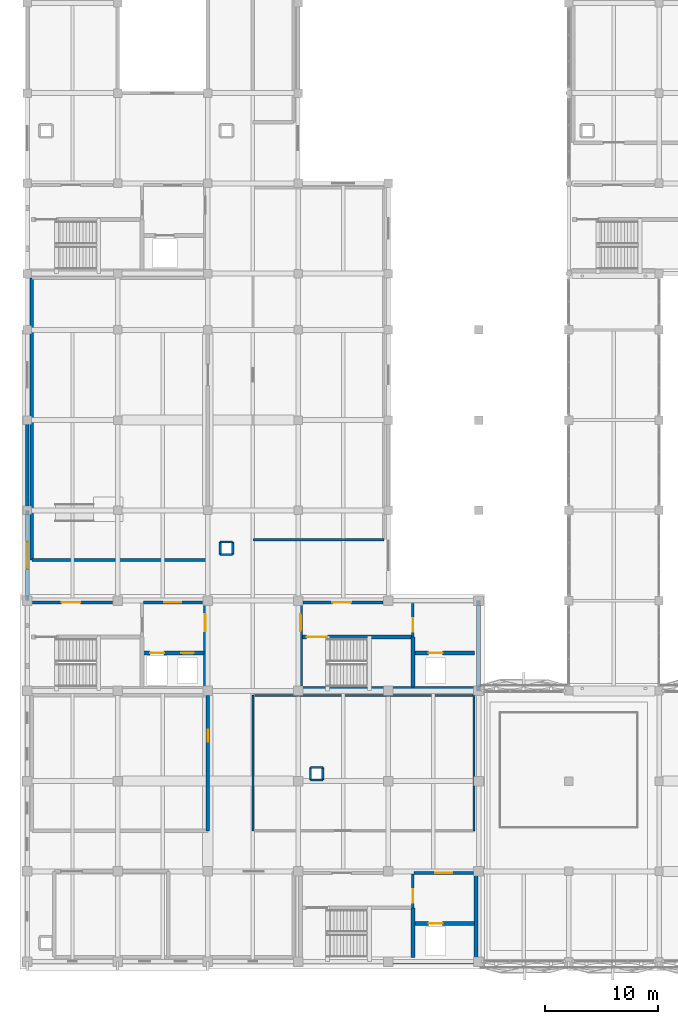
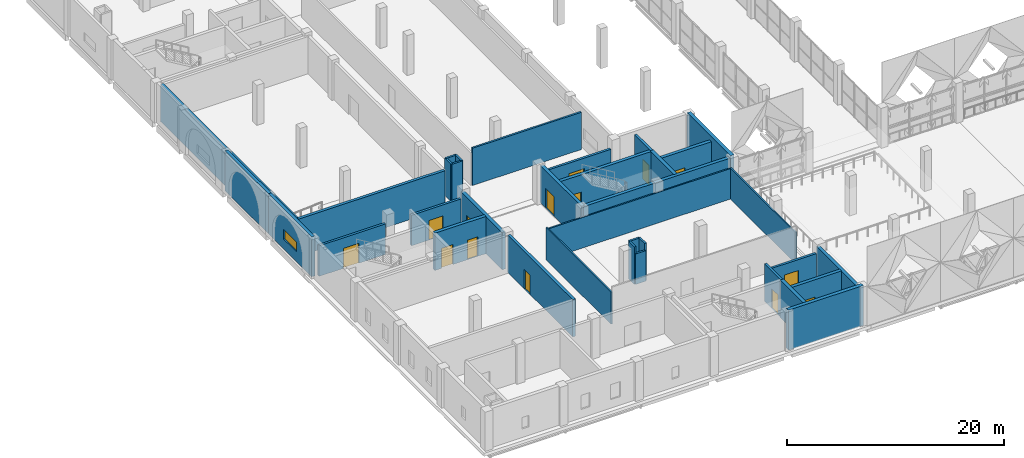
# One storey, part 28 of 53: 35 walls, 14 doors, 1 window, 15 openings.
"""IFC4 building model written with IfcOpenShell, lengths in metres."""

from ifc_helpers import new_model, si_unit, direction, frame, frame_2d, origin, place, context, subcontext, project, spatial, rectangle, extrude, material, layer, layer_set, type_object, element, fill, save


model = new_model("IFC4")

# Units and contexts
model_context = context("Model", 3, precision=1e-05, world=origin(), true_north=direction((0.0, 1.0)))
body_context = subcontext(model_context, "Body", "Model", "MODEL_VIEW")
ifc_project = project(units=[si_unit("LENGTHUNIT", "METRE"), si_unit("AREAUNIT", "SQUARE_METRE"), si_unit("VOLUMEUNIT", "CUBIC_METRE"), si_unit("PLANEANGLEUNIT", "RADIAN"), si_unit("MASSUNIT", "GRAM", prefix="KILO")], contexts=[model_context])

# Site, building, storey
site_placement = place(None, origin())
site = spatial("IfcSite", under=ifc_project, at=site_placement, CompositionType="ELEMENT")
building_placement = place(site_placement, origin())
building = spatial("IfcBuilding", under=site, at=building_placement, Name="Qorikala Patio Media Centre", CompositionType="ELEMENT")
storey_placement = place(building_placement, frame((0.0, 0.0, 5.39990234375)))
storey = spatial("IfcBuildingStorey", under=building, at=storey_placement, Name="L01", CompositionType="ELEMENT", Elevation=5.39990234375)

# Wall, opening, door
ifc_material_1 = material(Name="Concrete C35/45", Category="concrete")
ifc_layer_1 = layer(ifc_material_1, 0.300048828125)
ifc_layer_set_1 = layer_set([ifc_layer_1], Name="Concrete C35/45")
wall_type_1 = type_object("IfcWallType", Name="WL-AC-300", PredefinedType="SHEAR", material=ifc_layer_set_1)
wall_1_placement = place(storey_placement, frame((19.0, 14.60009765625, 0.0), z_axis=(0.0, 0.0, 1.0), x_axis=(0.0, 1.0, 0.0)))
wall_1 = element("IfcWall", 1, at=wall_1_placement, inside=storey, type_object=wall_type_1, Name="L01 Interior Wall WINT-L01-PRJ1-E", PredefinedType="SHEAR", context=body_context, shape_type="SweptSolid", body=[
    extrude(rectangle(XDim=12.0, YDim=0.300048828125, at=frame_2d((6.0, 0.0))), origin(), (0.0, 0.0, 1.0), 4.2001953125),
])
opening_1_placement = place(wall_1_placement, frame((7.89990234375, 0.0, 0.0)))
opening_1 = element("IfcOpeningElement", 2, at=opening_1_placement, cuts=wall_1, Name="Opening D251", PredefinedType="OPENING", context=body_context, shape_type="SweptSolid", body=[
    extrude(rectangle(XDim=1.050048828125, YDim=2.159912109375, at=frame_2d((0.52490234375, 1.080078125))), frame((0.0, 0.159912109375, 0.0), z_axis=(0.0, -1.0, 0.0), x_axis=(1.0, 0.0, 0.0)), (0.0, 0.0, 1.0), 0.320068359375),
])
ifc_material_2 = material(Name="Acoustic Fire Timber and Steel", Category="steel")
door_type_1 = type_object("IfcDoorType", Name="DR-FD60-105X216", OperationType="NOTDEFINED", PredefinedType="DOOR", material=ifc_material_2)
door_1_placement = place(opening_1_placement, origin())
door_1 = element("IfcDoor", 3, at=door_1_placement, inside=storey, type_object=door_type_1, Name="Cinema 1 and 2 Projection Booth Door 040", OperationType="SINGLE_SWING_RIGHT", OverallHeight=2.159912109375, OverallWidth=1.050048828125, PredefinedType="DOOR", context=body_context, shape_type="SweptSolid", body=[
    extrude(rectangle(XDim=1.050048828125, YDim=2.159912109375, at=frame_2d((0.52490234375, 1.080078125))), frame((0.0, 0.02490234375, 0.0), z_axis=(0.0, -1.0, 0.0), x_axis=(1.0, 0.0, 0.0)), (0.0, 0.0, 1.0), 0.050048828125),
])
fill(opening_1, door_1)

# Walls
wall_2_placement = place(storey_placement, frame((3.39990234375, 38.60009765625, 0.0), z_axis=(0.0, 0.0, 1.0), x_axis=(1.0, 0.0, 0.0)))
element("IfcWall", 4, at=wall_2_placement, inside=storey, type_object=wall_type_1, Name="L01 Interior Wall WINT-L01-REC2-S", PredefinedType="SHEAR", context=body_context, shape_type="SweptSolid", body=[
    extrude(rectangle(XDim=15.60009765625, YDim=0.300048828125, at=frame_2d((7.800048828125, 0.0))), origin(), (0.0, 0.0, 1.0), 4.2001953125),
])
wall_3_placement = place(storey_placement, frame((3.39990234375, 38.60009765625, 0.0), z_axis=(0.0, 0.0, 1.0), x_axis=(0.0, 1.0, 0.0)))
element("IfcWall", 5, at=wall_3_placement, inside=storey, type_object=wall_type_1, Name="L01 Interior Wall WINT-L01-REC2-W", PredefinedType="SHEAR", context=body_context, shape_type="SweptSolid", body=[
    extrude(rectangle(XDim=25.0, YDim=0.300048828125, at=frame_2d((12.5, 0.0))), origin(), (0.0, 0.0, 1.0), 4.2001953125),
])
ifc_layer_2 = layer(ifc_material_1, 0.35009765625)
ifc_layer_set_2 = layer_set([ifc_layer_2], Name="Concrete C35/45")
wall_type_2 = type_object("IfcWallType", Name="WL-CORE-350", PredefinedType="SHEAR", material=ifc_layer_set_2)
wall_4_placement = place(storey_placement, frame((37.175048828125, 3.35009765625, 0.0), z_axis=(0.0, 0.0, 1.0), x_axis=(0.0, 1.0, 0.0)))
element("IfcWall", 6, at=wall_4_placement, inside=storey, type_object=wall_type_2, Name="L01 Interior Wall CW-L01-C1-SE", PredefinedType="SHEAR", context=body_context, shape_type="SweptSolid", body=[
    extrude(rectangle(XDim=4.4248046875, YDim=0.35009765625, at=frame_2d((2.21240234375, 0.0))), origin(), (0.0, 0.0, 1.0), 4.2001953125),
])
wall_5_placement = place(storey_placement, frame((42.77490234375, 3.199951171875, 0.0), z_axis=(0.0, 0.0, 1.0), x_axis=(0.0, 1.0, 0.0)))
element("IfcWall", 7, at=wall_5_placement, inside=storey, type_object=wall_type_2, Name="L01 Interior Wall CW-L01-C1-EE", PredefinedType="SHEAR", context=body_context, shape_type="SweptSolid", body=[
    extrude(rectangle(XDim=7.60009765625, YDim=0.35009765625, at=frame_2d((3.800048828125, 0.0))), origin(), (0.0, 0.0, 1.0), 4.2001953125),
])

# Wall, opening, door
wall_6_placement = place(storey_placement, frame((37.175048828125, 6.375, 0.0), z_axis=(0.0, 0.0, 1.0), x_axis=(1.0, 0.0, 0.0)))
wall_6 = element("IfcWall", 8, at=wall_6_placement, inside=storey, type_object=wall_type_2, Name="L01 Interior Wall CW-L01-C1-LFN", PredefinedType="SHEAR", context=body_context, shape_type="SweptSolid", body=[
    extrude(rectangle(XDim=5.474853515625, YDim=0.35009765625, at=frame_2d((2.7373046875, 0.0))), origin(), (0.0, 0.0, 1.0), 4.2001953125),
])
opening_2_placement = place(wall_6_placement, frame((1.39990234375, 0.0, 0.0)))
opening_2 = element("IfcOpeningElement", 9, at=opening_2_placement, cuts=wall_6, Name="Opening LD03", PredefinedType="OPENING", context=body_context, shape_type="SweptSolid", body=[
    extrude(rectangle(XDim=1.25, YDim=2.25, at=frame_2d((0.625, 1.125))), frame((0.0, 0.18505859375, 0.0), z_axis=(0.0, -1.0, 0.0), x_axis=(1.0, 0.0, 0.0)), (0.0, 0.0, 1.0), 0.3701171875),
])
ifc_material_3 = material(Name="Brushed Bronze Stainless Steel", Category="steel")
door_type_2 = type_object("IfcDoorType", Name="DR-LD-125X225", OperationType="DOUBLE_DOOR_SLIDING", PredefinedType="DOOR", material=ifc_material_3)
door_2_placement = place(opening_2_placement, origin())
door_2 = element("IfcDoor", 10, at=door_2_placement, inside=storey, type_object=door_type_2, Name="L01 Lift LF-01 Sliding Landing Door", OperationType="DOUBLE_DOOR_SLIDING", OverallHeight=2.25, OverallWidth=1.25, PredefinedType="DOOR", context=body_context, shape_type="SweptSolid", body=[
    extrude(rectangle(XDim=1.25, YDim=2.25, at=frame_2d((0.625, 1.125))), frame((0.0, 0.02490234375, 0.0), z_axis=(0.0, -1.0, 0.0), x_axis=(1.0, 0.0, 0.0)), (0.0, 0.0, 1.0), 0.050048828125),
])
fill(opening_2, door_2)

wall_7_placement = place(storey_placement, frame((18.77490234375, 27.199951171875, 0.0), z_axis=(0.0, 0.0, 1.0), x_axis=(0.0, 1.0, 0.0)))
wall_7 = element("IfcWall", 11, at=wall_7_placement, inside=storey, type_object=wall_type_2, Name="L01 Interior Wall CW-L01-C2-EE", PredefinedType="SHEAR", context=body_context, shape_type="SweptSolid", body=[
    extrude(rectangle(XDim=7.60009765625, YDim=0.35009765625, at=frame_2d((3.800048828125, 0.0))), origin(), (0.0, 0.0, 1.0), 4.2001953125),
])
opening_3_placement = place(wall_7_placement, frame((5.10009765625, 0.0, 0.0)))
opening_3 = element("IfcOpeningElement", 12, at=opening_3_placement, cuts=wall_7, Name="Opening D069", PredefinedType="OPENING", context=body_context, shape_type="SweptSolid", body=[
    extrude(rectangle(XDim=1.5, YDim=2.199951171875, at=frame_2d((0.75, 1.10009765625))), frame((0.0, 0.18505859375, 0.0), z_axis=(0.0, -1.0, 0.0), x_axis=(1.0, 0.0, 0.0)), (0.0, 0.0, 1.0), 0.3701171875),
])
ifc_material_4 = material(Name="Powder-Coated Acoustic Fire Steel", Category="steel")
door_type_3 = type_object("IfcDoorType", Name="DR-FD60-150X220", OperationType="DOUBLE_DOOR_SINGLE_SWING", PredefinedType="DOOR", material=ifc_material_4)
door_3_placement = place(opening_3_placement, origin())
door_3 = element("IfcDoor", 13, at=door_3_placement, inside=storey, type_object=door_type_3, Name="L01 Core C2 East Corridor Fire Door", OperationType="DOUBLE_DOOR_SINGLE_SWING", OverallHeight=2.199951171875, OverallWidth=1.5, PredefinedType="DOOR", context=body_context, shape_type="SweptSolid", body=[
    extrude(rectangle(XDim=1.5, YDim=2.199951171875, at=frame_2d((0.75, 1.10009765625))), frame((0.0, 0.02490234375, 0.0), z_axis=(0.0, -1.0, 0.0), x_axis=(1.0, 0.0, 0.0)), (0.0, 0.0, 1.0), 0.050048828125),
])
fill(opening_3, door_3)

# Wall, openings, doors
wall_8_placement = place(storey_placement, frame((13.175048828125, 30.375, 0.0), z_axis=(0.0, 0.0, 1.0), x_axis=(1.0, 0.0, 0.0)))
wall_8 = element("IfcWall", 14, at=wall_8_placement, inside=storey, type_object=wall_type_2, Name="L01 Interior Wall CW-L01-C2-LFN", PredefinedType="SHEAR", context=body_context, shape_type="SweptSolid", body=[
    extrude(rectangle(XDim=5.474853515625, YDim=0.35009765625, at=frame_2d((2.7373046875, 0.0))), origin(), (0.0, 0.0, 1.0), 4.2001953125),
])
opening_4_placement = place(wall_8_placement, frame((0.699951171875, 0.0, 0.0)))
opening_4 = element("IfcOpeningElement", 15, at=opening_4_placement, cuts=wall_8, Name="Opening LD12", PredefinedType="OPENING", context=body_context, shape_type="SweptSolid", body=[
    extrude(rectangle(XDim=1.25, YDim=2.25, at=frame_2d((0.625, 1.125))), frame((0.0, 0.18505859375, 0.0), z_axis=(0.0, -1.0, 0.0), x_axis=(1.0, 0.0, 0.0)), (0.0, 0.0, 1.0), 0.3701171875),
])
opening_5_placement = place(wall_8_placement, frame((3.47509765625, 0.0, 0.0)))
opening_5 = element("IfcOpeningElement", 16, at=opening_5_placement, cuts=wall_8, Name="Opening LD13", PredefinedType="OPENING", context=body_context, shape_type="SweptSolid", body=[
    extrude(rectangle(XDim=1.10009765625, YDim=2.199951171875, at=frame_2d((0.550048828125, 1.10009765625))), frame((0.0, 0.18505859375, 0.0), z_axis=(0.0, -1.0, 0.0), x_axis=(1.0, 0.0, 0.0)), (0.0, 0.0, 1.0), 0.3701171875),
])
door_type_4 = type_object("IfcDoorType", Name="DR-LD-110X220", OperationType="DOUBLE_DOOR_SLIDING", PredefinedType="DOOR", material=ifc_material_3)
door_4_placement = place(opening_5_placement, origin())
door_4 = element("IfcDoor", 17, at=door_4_placement, inside=storey, type_object=door_type_4, Name="L01 Lift LP-04 Sliding Landing Door", OperationType="DOUBLE_DOOR_SLIDING", OverallHeight=2.199951171875, OverallWidth=1.10009765625, PredefinedType="DOOR", context=body_context, shape_type="SweptSolid", body=[
    extrude(rectangle(XDim=1.10009765625, YDim=2.199951171875, at=frame_2d((0.550048828125, 1.10009765625))), frame((0.0, 0.02490234375, 0.0), z_axis=(0.0, -1.0, 0.0), x_axis=(1.0, 0.0, 0.0)), (0.0, 0.0, 1.0), 0.050048828125),
])
fill(opening_5, door_4)
door_5_placement = place(opening_4_placement, origin())
door_5 = element("IfcDoor", 18, at=door_5_placement, inside=storey, type_object=door_type_2, Name="L01 Lift LF-02 Sliding Landing Door", OperationType="DOUBLE_DOOR_SLIDING", OverallHeight=2.25, OverallWidth=1.25, PredefinedType="DOOR", context=body_context, shape_type="SweptSolid", body=[
    extrude(rectangle(XDim=1.25, YDim=2.25, at=frame_2d((0.625, 1.125))), frame((0.0, 0.02490234375, 0.0), z_axis=(0.0, -1.0, 0.0), x_axis=(1.0, 0.0, 0.0)), (0.0, 0.0, 1.0), 0.050048828125),
])
fill(opening_4, door_5)

# Wall
wall_9_placement = place(storey_placement, frame((27.199951171875, 27.22509765625, 0.0), z_axis=(0.0, 0.0, 1.0), x_axis=(1.0, 0.0, 0.0)))
element("IfcWall", 19, at=wall_9_placement, inside=storey, type_object=wall_type_2, Name="L01 Core C5 Stair South Wall", PredefinedType="SHEAR", context=body_context, shape_type="SweptSolid", body=[
    extrude(rectangle(XDim=15.60009765625, YDim=0.35009765625, at=frame_2d((7.800048828125, 0.0))), origin(), (0.0, 0.0, 1.0), 4.2001953125),
])

# Wall, opening, door
wall_10_placement = place(storey_placement, frame((27.22509765625, 27.199951171875, 0.0), z_axis=(0.0, 0.0, 1.0), x_axis=(0.0, 1.0, 0.0)))
wall_10 = element("IfcWall", 20, at=wall_10_placement, inside=storey, type_object=wall_type_2, Name="L01 Interior Wall CW-L01-C5-SW", PredefinedType="SHEAR", context=body_context, shape_type="SweptSolid", body=[
    extrude(rectangle(XDim=7.60009765625, YDim=0.35009765625, at=frame_2d((3.800048828125, 0.0))), origin(), (0.0, 0.0, 1.0), 4.2001953125),
])
opening_6_placement = place(wall_10_placement, frame((5.10009765625, 0.0, 0.0)))
opening_6 = element("IfcOpeningElement", 21, at=opening_6_placement, cuts=wall_10, Name="Opening D154", PredefinedType="OPENING", context=body_context, shape_type="SweptSolid", body=[
    extrude(rectangle(XDim=1.5, YDim=2.199951171875, at=frame_2d((0.75, 1.10009765625))), frame((0.0, 0.18505859375, 0.0), z_axis=(0.0, -1.0, 0.0), x_axis=(1.0, 0.0, 0.0)), (0.0, 0.0, 1.0), 0.3701171875),
])
door_6_placement = place(opening_6_placement, origin())
door_6 = element("IfcDoor", 22, at=door_6_placement, inside=storey, type_object=door_type_3, Name="L01 Core C5 West Corridor Fire Door", OperationType="DOUBLE_DOOR_SINGLE_SWING", OverallHeight=2.199951171875, OverallWidth=1.5, PredefinedType="DOOR", context=body_context, shape_type="SweptSolid", body=[
    extrude(rectangle(XDim=1.5, YDim=2.199951171875, at=frame_2d((0.75, 1.10009765625))), frame((0.0, 0.02490234375, 0.0), z_axis=(0.0, -1.0, 0.0), x_axis=(1.0, 0.0, 0.0)), (0.0, 0.0, 1.0), 0.050048828125),
])
fill(opening_6, door_6)

# Wall
wall_11_placement = place(storey_placement, frame((37.175048828125, 27.35009765625, 0.0), z_axis=(0.0, 0.0, 1.0), x_axis=(0.0, 1.0, 0.0)))
element("IfcWall", 23, at=wall_11_placement, inside=storey, type_object=wall_type_2, Name="L01 Interior Wall CW-L01-C5-SE", PredefinedType="SHEAR", context=body_context, shape_type="SweptSolid", body=[
    extrude(rectangle(XDim=4.4248046875, YDim=0.35009765625, at=frame_2d((2.21240234375, 0.0))), origin(), (0.0, 0.0, 1.0), 4.2001953125),
])

# Wall, opening, door
wall_12_placement = place(storey_placement, frame((27.35009765625, 31.77490234375, 0.0), z_axis=(0.0, 0.0, 1.0), x_axis=(1.0, 0.0, 0.0)))
wall_12 = element("IfcWall", 24, at=wall_12_placement, inside=storey, type_object=wall_type_2, Name="L01 Interior Wall CW-L01-C5-SN", PredefinedType="SHEAR", context=body_context, shape_type="SweptSolid", body=[
    extrude(rectangle(XDim=9.824951171875, YDim=0.35009765625, at=frame_2d((4.91259765625, 0.0))), origin(), (0.0, 0.0, 1.0), 4.2001953125),
])
opening_7_placement = place(wall_12_placement, frame((0.39990234375, 0.0, 0.0)))
opening_7 = element("IfcOpeningElement", 25, at=opening_7_placement, cuts=wall_12, Name="Opening D151", PredefinedType="OPENING", context=body_context, shape_type="SweptSolid", body=[
    extrude(rectangle(XDim=1.85009765625, YDim=2.25, at=frame_2d((0.925048828125, 1.125))), frame((0.0, 0.18505859375, 0.0), z_axis=(0.0, -1.0, 0.0), x_axis=(1.0, 0.0, 0.0)), (0.0, 0.0, 1.0), 0.3701171875),
])
door_type_5 = type_object("IfcDoorType", Name="DR-FD60-185X225", OperationType="DOUBLE_DOOR_SINGLE_SWING", PredefinedType="DOOR", material=ifc_material_4)
door_7_placement = place(opening_7_placement, origin())
door_7 = element("IfcDoor", 26, at=door_7_placement, inside=storey, type_object=door_type_5, Name="L01 Stair ST-5 Fire Door", OperationType="DOUBLE_DOOR_SINGLE_SWING", OverallHeight=2.25, OverallWidth=1.85009765625, PredefinedType="DOOR", context=body_context, shape_type="SweptSolid", body=[
    extrude(rectangle(XDim=1.85009765625, YDim=2.25, at=frame_2d((0.925048828125, 1.125))), frame((0.0, 0.02490234375, 0.0), z_axis=(0.0, -1.0, 0.0), x_axis=(1.0, 0.0, 0.0)), (0.0, 0.0, 1.0), 0.050048828125),
])
fill(opening_7, door_7)

wall_13_placement = place(storey_placement, frame((37.175048828125, 30.375, 0.0), z_axis=(0.0, 0.0, 1.0), x_axis=(1.0, 0.0, 0.0)))
wall_13 = element("IfcWall", 27, at=wall_13_placement, inside=storey, type_object=wall_type_2, Name="L01 Interior Wall CW-L01-C5-LFN", PredefinedType="SHEAR", context=body_context, shape_type="SweptSolid", body=[
    extrude(rectangle(XDim=5.474853515625, YDim=0.35009765625, at=frame_2d((2.7373046875, 0.0))), origin(), (0.0, 0.0, 1.0), 4.2001953125),
])
opening_8_placement = place(wall_13_placement, frame((1.39990234375, 0.0, 0.0)))
opening_8 = element("IfcOpeningElement", 28, at=opening_8_placement, cuts=wall_13, Name="Opening LD42", PredefinedType="OPENING", context=body_context, shape_type="SweptSolid", body=[
    extrude(rectangle(XDim=1.25, YDim=2.25, at=frame_2d((0.625, 1.125))), frame((0.0, 0.18505859375, 0.0), z_axis=(0.0, -1.0, 0.0), x_axis=(1.0, 0.0, 0.0)), (0.0, 0.0, 1.0), 0.3701171875),
])
door_8_placement = place(opening_8_placement, origin())
door_8 = element("IfcDoor", 29, at=door_8_placement, inside=storey, type_object=door_type_2, Name="L01 Lift LP-03 Sliding Landing Door", OperationType="DOUBLE_DOOR_SLIDING", OverallHeight=2.25, OverallWidth=1.25, PredefinedType="DOOR", context=body_context, shape_type="SweptSolid", body=[
    extrude(rectangle(XDim=1.25, YDim=2.25, at=frame_2d((0.625, 1.125))), frame((0.0, 0.02490234375, 0.0), z_axis=(0.0, -1.0, 0.0), x_axis=(1.0, 0.0, 0.0)), (0.0, 0.0, 1.0), 0.050048828125),
])
fill(opening_8, door_8)

# Wall, opening, window
ifc_material_5 = material(Name="Ivory Lime Stucco and Concrete C35/45", Category="concrete")
ifc_layer_3 = layer(ifc_material_5, 0.320068359375)
ifc_layer_set_3 = layer_set([ifc_layer_3], Name="Ivory Lime Stucco and Concrete C35/45")
wall_type_3 = type_object("IfcWallType", Name="WL-EXT-320", PredefinedType="SOLIDWALL", material=ifc_layer_set_3)
wall_14_placement = place(storey_placement, frame((3.0, 35.0, 0.0), z_axis=(0.0, 0.0, 1.0), x_axis=(0.0, 1.0, 0.0)))
wall_14 = element("IfcWall", 30, at=wall_14_placement, inside=storey, type_object=wall_type_3, Name="L01 Exterior Wall WL-L01-EXT-0010", PredefinedType="SOLIDWALL", context=body_context, shape_type="SweptSolid", body=[
    extrude(rectangle(XDim=8.0, YDim=0.320068359375, at=frame_2d((4.0, 0.0))), origin(), (0.0, 0.0, 1.0), 4.5),
])
opening_9_placement = place(wall_14_placement, frame((2.800048828125, 0.0, 1.10009765625)))
opening_9 = element("IfcOpeningElement", 31, at=opening_9_placement, cuts=wall_14, Name="Opening WL-240", PredefinedType="OPENING", context=body_context, shape_type="SweptSolid", body=[
    extrude(rectangle(XDim=2.39990234375, YDim=1.10009765625, at=frame_2d((1.199951171875, 0.550048828125))), frame((0.0, 0.169921875, 0.0), z_axis=(0.0, -1.0, 0.0), x_axis=(1.0, 0.0, 0.0)), (0.0, 0.0, 1.0), 0.340087890625),
])
ifc_material_6 = material(Name="Acoustic Laminated Low-E Glass", Category="glass")
window_type = type_object("IfcWindowType", Name="WN-CL-240X110", PartitioningType="SINGLE_PANEL", PredefinedType="WINDOW", material=ifc_material_6)
window_placement = place(opening_9_placement, origin())
window = element("IfcWindow", 32, at=window_placement, inside=storey, type_object=window_type, Name="L01 High Acoustic Clerestory Window 0072", OverallHeight=1.10009765625, OverallWidth=2.39990234375, PartitioningType="SINGLE_PANEL", PredefinedType="WINDOW", context=body_context, shape_type="SweptSolid", body=[
    extrude(rectangle(XDim=2.39990234375, YDim=1.10009765625, at=frame_2d((1.199951171875, 0.550048828125))), frame((0.0, 0.030029296875, 0.0), z_axis=(0.0, -1.0, 0.0), x_axis=(1.0, 0.0, 0.0)), (0.0, 0.0, 1.0), 0.06005859375),
])
fill(opening_9, window)

# Wall
wall_15_placement = place(storey_placement, frame((3.0, 43.0, 0.0), z_axis=(0.0, 0.0, 1.0), x_axis=(0.0, 1.0, 0.0)))
element("IfcWall", 33, at=wall_15_placement, inside=storey, type_object=wall_type_3, Name="L01 Exterior Wall WL-L01-EXT-0011", PredefinedType="SOLIDWALL", context=body_context, shape_type="SweptSolid", body=[
    extrude(rectangle(XDim=8.0, YDim=0.320068359375, at=frame_2d((4.0, 0.0))), origin(), (0.0, 0.0, 1.0), 4.5),
])

# Wall, opening, door
ifc_layer_4 = layer(ifc_material_1, 0.25)
ifc_layer_set_4 = layer_set([ifc_layer_4], Name="Concrete C35/45")
wall_type_4 = type_object("IfcWallType", Name="WL-FFL-250", PredefinedType="PARTITIONING", material=ifc_layer_set_4)
wall_16_placement = place(storey_placement, frame((37.175048828125, 7.77490234375, 0.0), z_axis=(0.0, 0.0, 1.0), x_axis=(0.0, 1.0, 0.0)))
wall_16 = element("IfcWall", 34, at=wall_16_placement, inside=storey, type_object=wall_type_4, Name="L01 Interior Wall CW-L01-C1-LBD", PredefinedType="PARTITIONING", context=body_context, shape_type="SweptSolid", body=[
    extrude(rectangle(XDim=2.97509765625, YDim=0.25, at=frame_2d((1.487548828125, 0.0))), origin(), (0.0, 0.0, 1.0), 4.2001953125),
])
opening_10_placement = place(wall_16_placement, frame((0.449951171875, 0.0, 0.0)))
opening_10 = element("IfcOpeningElement", 35, at=opening_10_placement, cuts=wall_16, Name="Opening D032", PredefinedType="OPENING", context=body_context, shape_type="SweptSolid", body=[
    extrude(rectangle(XDim=1.199951171875, YDim=2.199951171875, at=frame_2d((0.60009765625, 1.10009765625))), frame((0.0, 0.135009765625, 0.0), z_axis=(0.0, -1.0, 0.0), x_axis=(1.0, 0.0, 0.0)), (0.0, 0.0, 1.0), 0.27001953125),
])
door_type_6 = type_object("IfcDoorType", Name="DR-FD60-120X220", OperationType="NOTDEFINED", PredefinedType="DOOR", material=ifc_material_2)
door_9_placement = place(opening_10_placement, origin())
door_9 = element("IfcDoor", 36, at=door_9_placement, inside=storey, type_object=door_type_6, Name="L01 Core C1 Firefighting Lobby Cross Door", OperationType="SINGLE_SWING_LEFT", OverallHeight=2.199951171875, OverallWidth=1.199951171875, PredefinedType="DOOR", context=body_context, shape_type="SweptSolid", body=[
    extrude(rectangle(XDim=1.199951171875, YDim=2.199951171875, at=frame_2d((0.60009765625, 1.10009765625))), frame((0.0, 0.02490234375, 0.0), z_axis=(0.0, -1.0, 0.0), x_axis=(1.0, 0.0, 0.0)), (0.0, 0.0, 1.0), 0.050048828125),
])
fill(opening_10, door_9)

wall_17_placement = place(storey_placement, frame((37.300048828125, 10.85009765625, 0.0), z_axis=(0.0, 0.0, 1.0), x_axis=(1.0, 0.0, 0.0)))
wall_17 = element("IfcWall", 37, at=wall_17_placement, inside=storey, type_object=wall_type_4, Name="L01 Interior Wall CW-L01-C1-CN2", PredefinedType="PARTITIONING", context=body_context, shape_type="SweptSolid", body=[
    extrude(rectangle(XDim=5.25, YDim=0.25, at=frame_2d((2.625, 0.0))), origin(), (0.0, 0.0, 1.0), 3.43505859375),
])
opening_11_placement = place(wall_17_placement, frame((1.85009765625, 0.0, 0.0)))
opening_11 = element("IfcOpeningElement", 38, at=opening_11_placement, cuts=wall_17, Name="Opening D034", PredefinedType="OPENING", context=body_context, shape_type="SweptSolid", body=[
    extrude(rectangle(XDim=1.5, YDim=2.199951171875, at=frame_2d((0.75, 1.10009765625))), frame((0.0, 0.135009765625, 0.0), z_axis=(0.0, -1.0, 0.0), x_axis=(1.0, 0.0, 0.0)), (0.0, 0.0, 1.0), 0.27001953125),
])
door_10_placement = place(opening_11_placement, origin())
door_10 = element("IfcDoor", 39, at=door_10_placement, inside=storey, type_object=door_type_3, Name="L01 Core C1 Firefighting Lobby Door", OperationType="DOUBLE_DOOR_SINGLE_SWING", OverallHeight=2.199951171875, OverallWidth=1.5, PredefinedType="DOOR", context=body_context, shape_type="SweptSolid", body=[
    extrude(rectangle(XDim=1.5, YDim=2.199951171875, at=frame_2d((0.75, 1.10009765625))), frame((0.0, 0.02490234375, 0.0), z_axis=(0.0, -1.0, 0.0), x_axis=(1.0, 0.0, 0.0)), (0.0, 0.0, 1.0), 0.050048828125),
])
fill(opening_11, door_10)

wall_18_placement = place(storey_placement, frame((3.449951171875, 34.85009765625, 0.0), z_axis=(0.0, 0.0, 1.0), x_axis=(1.0, 0.0, 0.0)))
wall_18 = element("IfcWall", 40, at=wall_18_placement, inside=storey, type_object=wall_type_4, Name="L01 Interior Wall CW-L01-C2-CN1", PredefinedType="PARTITIONING", context=body_context, shape_type="SweptSolid", body=[
    extrude(rectangle(XDim=7.10009765625, YDim=0.25, at=frame_2d((3.550048828125, 0.0))), origin(), (0.0, 0.0, 1.0), 3.43505859375),
])
opening_12_placement = place(wall_18_placement, frame((2.60009765625, 0.0, 0.0)))
opening_12 = element("IfcOpeningElement", 41, at=opening_12_placement, cuts=wall_18, Name="Opening D067", PredefinedType="OPENING", context=body_context, shape_type="SweptSolid", body=[
    extrude(rectangle(XDim=1.64990234375, YDim=2.25, at=frame_2d((0.824951171875, 1.125))), frame((0.0, 0.135009765625, 0.0), z_axis=(0.0, -1.0, 0.0), x_axis=(1.0, 0.0, 0.0)), (0.0, 0.0, 1.0), 0.27001953125),
])
door_type_7 = type_object("IfcDoorType", Name="DR-FD60-165X225", OperationType="DOUBLE_DOOR_SINGLE_SWING", PredefinedType="DOOR", material=ifc_material_4)
door_11_placement = place(opening_12_placement, frame((1.64990234375, 0.0, 0.0), z_axis=(0.0, 0.0, 1.0), x_axis=(-1.0, 0.0, 0.0)))
door_11 = element("IfcDoor", 42, at=door_11_placement, inside=storey, type_object=door_type_7, Name="L01 Core C2 Vestibule Door", OperationType="DOUBLE_DOOR_SINGLE_SWING", OverallHeight=2.25, OverallWidth=1.64990234375, PredefinedType="DOOR", context=body_context, shape_type="SweptSolid", body=[
    extrude(rectangle(XDim=1.64990234375, YDim=2.25, at=frame_2d((0.824951171875, 1.125))), frame((0.0, 0.02490234375, 0.0), z_axis=(0.0, -1.0, 0.0), x_axis=(1.0, 0.0, 0.0)), (0.0, 0.0, 1.0), 0.050048828125),
])
fill(opening_12, door_11)

wall_19_placement = place(storey_placement, frame((13.300048828125, 34.85009765625, 0.0), z_axis=(0.0, 0.0, 1.0), x_axis=(1.0, 0.0, 0.0)))
wall_19 = element("IfcWall", 43, at=wall_19_placement, inside=storey, type_object=wall_type_4, Name="L01 Interior Wall CW-L01-C2-CN2", PredefinedType="PARTITIONING", context=body_context, shape_type="SweptSolid", body=[
    extrude(rectangle(XDim=5.25, YDim=0.25, at=frame_2d((2.625, 0.0))), origin(), (0.0, 0.0, 1.0), 3.43505859375),
])
opening_13_placement = place(wall_19_placement, frame((1.85009765625, 0.0, 0.0)))
opening_13 = element("IfcOpeningElement", 44, at=opening_13_placement, cuts=wall_19, Name="Opening D068", PredefinedType="OPENING", context=body_context, shape_type="SweptSolid", body=[
    extrude(rectangle(XDim=1.5, YDim=2.199951171875, at=frame_2d((0.75, 1.10009765625))), frame((0.0, 0.135009765625, 0.0), z_axis=(0.0, -1.0, 0.0), x_axis=(1.0, 0.0, 0.0)), (0.0, 0.0, 1.0), 0.27001953125),
])
door_12_placement = place(opening_13_placement, origin())
door_12 = element("IfcDoor", 45, at=door_12_placement, inside=storey, type_object=door_type_3, Name="L01 Core C2 Firefighting Lobby Door", OperationType="DOUBLE_DOOR_SINGLE_SWING", OverallHeight=2.199951171875, OverallWidth=1.5, PredefinedType="DOOR", context=body_context, shape_type="SweptSolid", body=[
    extrude(rectangle(XDim=1.5, YDim=2.199951171875, at=frame_2d((0.75, 1.10009765625))), frame((0.0, 0.02490234375, 0.0), z_axis=(0.0, -1.0, 0.0), x_axis=(1.0, 0.0, 0.0)), (0.0, 0.0, 1.0), 0.050048828125),
])
fill(opening_13, door_12)

wall_20_placement = place(storey_placement, frame((37.175048828125, 31.77490234375, 0.0), z_axis=(0.0, 0.0, 1.0), x_axis=(0.0, 1.0, 0.0)))
wall_20 = element("IfcWall", 46, at=wall_20_placement, inside=storey, type_object=wall_type_4, Name="L01 Interior Wall CW-L01-C5-LBD", PredefinedType="PARTITIONING", context=body_context, shape_type="SweptSolid", body=[
    extrude(rectangle(XDim=2.97509765625, YDim=0.25, at=frame_2d((1.487548828125, 0.0))), origin(), (0.0, 0.0, 1.0), 4.2001953125),
])
opening_14_placement = place(wall_20_placement, frame((0.449951171875, 0.0, 0.0)))
opening_14 = element("IfcOpeningElement", 47, at=opening_14_placement, cuts=wall_20, Name="Opening D152", PredefinedType="OPENING", context=body_context, shape_type="SweptSolid", body=[
    extrude(rectangle(XDim=1.199951171875, YDim=2.199951171875, at=frame_2d((0.60009765625, 1.10009765625))), frame((0.0, 0.135009765625, 0.0), z_axis=(0.0, -1.0, 0.0), x_axis=(1.0, 0.0, 0.0)), (0.0, 0.0, 1.0), 0.27001953125),
])
door_13_placement = place(opening_14_placement, origin())
door_13 = element("IfcDoor", 48, at=door_13_placement, inside=storey, type_object=door_type_6, Name="L01 Core C5 Firefighting Lobby Cross Door", OperationType="SINGLE_SWING_LEFT", OverallHeight=2.199951171875, OverallWidth=1.199951171875, PredefinedType="DOOR", context=body_context, shape_type="SweptSolid", body=[
    extrude(rectangle(XDim=1.199951171875, YDim=2.199951171875, at=frame_2d((0.60009765625, 1.10009765625))), frame((0.0, 0.02490234375, 0.0), z_axis=(0.0, -1.0, 0.0), x_axis=(1.0, 0.0, 0.0)), (0.0, 0.0, 1.0), 0.050048828125),
])
fill(opening_14, door_13)

wall_21_placement = place(storey_placement, frame((27.449951171875, 34.85009765625, 0.0), z_axis=(0.0, 0.0, 1.0), x_axis=(1.0, 0.0, 0.0)))
wall_21 = element("IfcWall", 49, at=wall_21_placement, inside=storey, type_object=wall_type_4, Name="L01 Interior Wall CW-L01-C5-CN1", PredefinedType="PARTITIONING", context=body_context, shape_type="SweptSolid", body=[
    extrude(rectangle(XDim=7.10009765625, YDim=0.25, at=frame_2d((3.550048828125, 0.0))), origin(), (0.0, 0.0, 1.0), 3.43505859375),
])
opening_15_placement = place(wall_21_placement, frame((2.60009765625, 0.0, 0.0)))
opening_15 = element("IfcOpeningElement", 50, at=opening_15_placement, cuts=wall_21, Name="Opening D153", PredefinedType="OPENING", context=body_context, shape_type="SweptSolid", body=[
    extrude(rectangle(XDim=1.64990234375, YDim=2.25, at=frame_2d((0.824951171875, 1.125))), frame((0.0, 0.135009765625, 0.0), z_axis=(0.0, -1.0, 0.0), x_axis=(1.0, 0.0, 0.0)), (0.0, 0.0, 1.0), 0.27001953125),
])
door_14_placement = place(opening_15_placement, frame((1.64990234375, 0.0, 0.0), z_axis=(0.0, 0.0, 1.0), x_axis=(-1.0, 0.0, 0.0)))
door_14 = element("IfcDoor", 51, at=door_14_placement, inside=storey, type_object=door_type_7, Name="L01 Core C5 Vestibule Door", OperationType="DOUBLE_DOOR_SINGLE_SWING", OverallHeight=2.25, OverallWidth=1.64990234375, PredefinedType="DOOR", context=body_context, shape_type="SweptSolid", body=[
    extrude(rectangle(XDim=1.64990234375, YDim=2.25, at=frame_2d((0.824951171875, 1.125))), frame((0.0, 0.02490234375, 0.0), z_axis=(0.0, -1.0, 0.0), x_axis=(1.0, 0.0, 0.0)), (0.0, 0.0, 1.0), 0.050048828125),
])
fill(opening_15, door_14)

# Walls
ifc_material_7 = material(Name="Acoustic Gypsum Stud Partition")
ifc_layer_5 = layer(ifc_material_7, 0.14990234375)
ifc_layer_set_5 = layer_set([ifc_layer_5], Name="Acoustic Gypsum Stud Partition")
wall_type_5 = type_object("IfcWallType", Name="WL-PT-150", PredefinedType="PARTITIONING", material=ifc_layer_set_5)
wall_22_placement = place(storey_placement, frame((42.60009765625, 14.60009765625, 0.0), z_axis=(0.0, 0.0, 1.0), x_axis=(0.0, 1.0, 0.0)))
element("IfcWall", 52, at=wall_22_placement, inside=storey, type_object=wall_type_5, Name="L01 Interior Wall WINT-L01-ED10-E", PredefinedType="PARTITIONING", context=body_context, shape_type="SweptSolid", body=[
    extrude(rectangle(XDim=12.0, YDim=0.14990234375, at=frame_2d((6.0, 0.0))), origin(), (0.0, 0.0, 1.0), 3.485107421875),
])
wall_23_placement = place(storey_placement, frame((23.0, 26.60009765625, 0.0), z_axis=(0.0, 0.0, 1.0), x_axis=(1.0, 0.0, 0.0)))
element("IfcWall", 53, at=wall_23_placement, inside=storey, type_object=wall_type_5, Name="L01 Interior Wall WINT-L01-ED10-N", PredefinedType="PARTITIONING", context=body_context, shape_type="SweptSolid", body=[
    extrude(rectangle(XDim=19.60009765625, YDim=0.14990234375, at=frame_2d((9.800048828125, 0.0))), origin(), (0.0, 0.0, 1.0), 3.43505859375),
])
wall_24_placement = place(storey_placement, frame((23.0, 14.60009765625, 0.0), z_axis=(0.0, 0.0, 1.0), x_axis=(0.0, 1.0, 0.0)))
element("IfcWall", 54, at=wall_24_placement, inside=storey, type_object=wall_type_5, Name="L01 Interior Wall WINT-L01-ED10-W", PredefinedType="PARTITIONING", context=body_context, shape_type="SweptSolid", body=[
    extrude(rectangle(XDim=12.0, YDim=0.14990234375, at=frame_2d((6.0, 0.0))), origin(), (0.0, 0.0, 1.0), 3.635009765625),
])
ifc_material_8 = material(Name="Acoustic Masonry and Plaster Concrete C30/37", Category="masonry")
ifc_layer_6 = layer(ifc_material_8, 0.199951171875)
ifc_layer_set_6 = layer_set([ifc_layer_6], Name="Acoustic Masonry and Plaster Concrete C30/37")
wall_type_6 = type_object("IfcWallType", Name="WL-ST-200", PredefinedType="PARTITIONING", material=ifc_layer_set_6)
wall_25_placement = place(storey_placement, frame((23.0, 40.39990234375, 0.0), z_axis=(0.0, 0.0, 1.0), x_axis=(1.0, 0.0, 0.0)))
element("IfcWall", 55, at=wall_25_placement, inside=storey, type_object=wall_type_6, Name="L01 Interior Wall WINT-L01-CTR2-S", PredefinedType="PARTITIONING", context=body_context, shape_type="SweptSolid", body=[
    extrude(rectangle(XDim=11.60009765625, YDim=0.199951171875, at=frame_2d((5.800048828125, 0.0))), origin(), (0.0, 0.0, 1.0), 4.2001953125),
])
for number, where, z_axis, x_axis, name in (
    (56, (20.10009765625, 39.10009765625, 0.0), (0.0, 0.0, 1.0), (1.0, 0.0, 0.0), "L01 Interior Wall RSW-3-L01-S"),
    (57, (20.10009765625, 40.199951171875, 0.0), (0.0, 0.0, 1.0), (1.0, 0.0, 0.0), "L01 Interior Wall RSW-3-L01-N"),
    (58, (20.10009765625, 39.10009765625, 0.0), (0.0, 0.0, 1.0), (0.0, 1.0, 0.0), "L01 Interior Wall RSW-3-L01-W"),
    (59, (21.199951171875, 39.10009765625, 0.0), (0.0, 0.0, 1.0), (0.0, 1.0, 0.0), "L01 Interior Wall RSW-3-L01-E"),
):
    element("IfcWall", number, at=place(storey_placement, frame(where, z_axis=z_axis, x_axis=x_axis)), inside=storey, type_object=wall_type_6, Name=name, PredefinedType="PARTITIONING", context=body_context, shape_type="SweptSolid", body=[
        extrude(rectangle(XDim=1.099853515625, YDim=0.199951171875, at=frame_2d((0.5498046875, 0.0))), origin(), (0.0, 0.0, 1.0), 4.2001953125),
    ])
wall_26_placement = place(storey_placement, frame((28.10009765625, 19.10009765625, 0.0), z_axis=(0.0, 0.0, 1.0), x_axis=(1.0, 0.0, 0.0)))
element("IfcWall", 60, at=wall_26_placement, inside=storey, type_object=wall_type_6, Name="L01 Interior Wall RSW-4-L01-S", PredefinedType="PARTITIONING", context=body_context, shape_type="SweptSolid", body=[
    extrude(rectangle(XDim=1.099853515625, YDim=0.199951171875, at=frame_2d((0.5498046875, 0.0))), origin(), (0.0, 0.0, 1.0), 3.43505859375),
])
for number, where, z_axis, x_axis, name in (
    (61, (28.10009765625, 20.199951171875, 0.0), (0.0, 0.0, 1.0), (1.0, 0.0, 0.0), "L01 Interior Wall RSW-4-L01-N"),
    (62, (28.10009765625, 19.10009765625, 0.0), (0.0, 0.0, 1.0), (0.0, 1.0, 0.0), "L01 Interior Wall RSW-4-L01-W"),
    (63, (29.199951171875, 19.10009765625, 0.0), (0.0, 0.0, 1.0), (0.0, 1.0, 0.0), "L01 Interior Wall RSW-4-L01-E"),
):
    element("IfcWall", number, at=place(storey_placement, frame(where, z_axis=z_axis, x_axis=x_axis)), inside=storey, type_object=wall_type_6, Name=name, PredefinedType="PARTITIONING", context=body_context, shape_type="SweptSolid", body=[
        extrude(rectangle(XDim=1.099853515625, YDim=0.199951171875, at=frame_2d((0.5498046875, 0.0))), origin(), (0.0, 0.0, 1.0), 4.2001953125),
    ])
ifc_material_9 = material(Name="Comanche Granite and Concrete C35/45", Category="masonry")
ifc_layer_7 = layer(ifc_material_9, 0.3798828125)
ifc_layer_set_7 = layer_set([ifc_layer_7], Name="Comanche Granite and Concrete C35/45")
wall_type_7 = type_object("IfcWallType", Name="WL-STONE-380", PredefinedType="SOLIDWALL", material=ifc_layer_set_7)
for number, where, z_axis, x_axis, name in (
    (64, (43.0, 3.0, 0.0), (0.0, 0.0, 1.0), (-1.0, 0.0, 0.0), "L01 Core C1 Exterior Shear Wall"),
    (65, (43.0, 35.0, 0.0), (0.0, 0.0, 1.0), (0.0, -1.0, 0.0), "L01 Core C5 Exterior Shear Wall"),
):
    element("IfcWall", number, at=place(storey_placement, frame(where, z_axis=z_axis, x_axis=x_axis)), inside=storey, type_object=wall_type_7, Name=name, PredefinedType="SOLIDWALL", context=body_context, shape_type="SweptSolid", body=[
        extrude(rectangle(XDim=8.0, YDim=0.3798828125, at=frame_2d((4.0, 0.0))), origin(), (0.0, 0.0, 1.0), 4.5),
    ])

save(model, "model.ifc")
